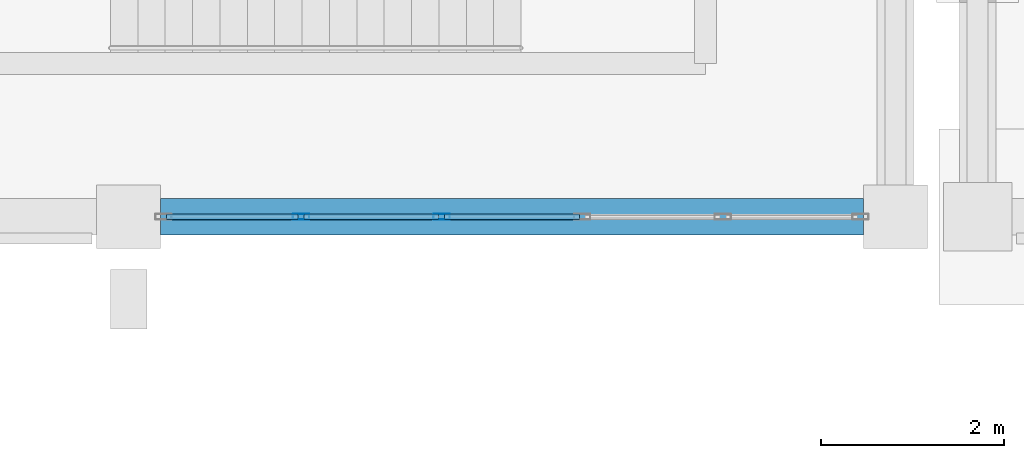
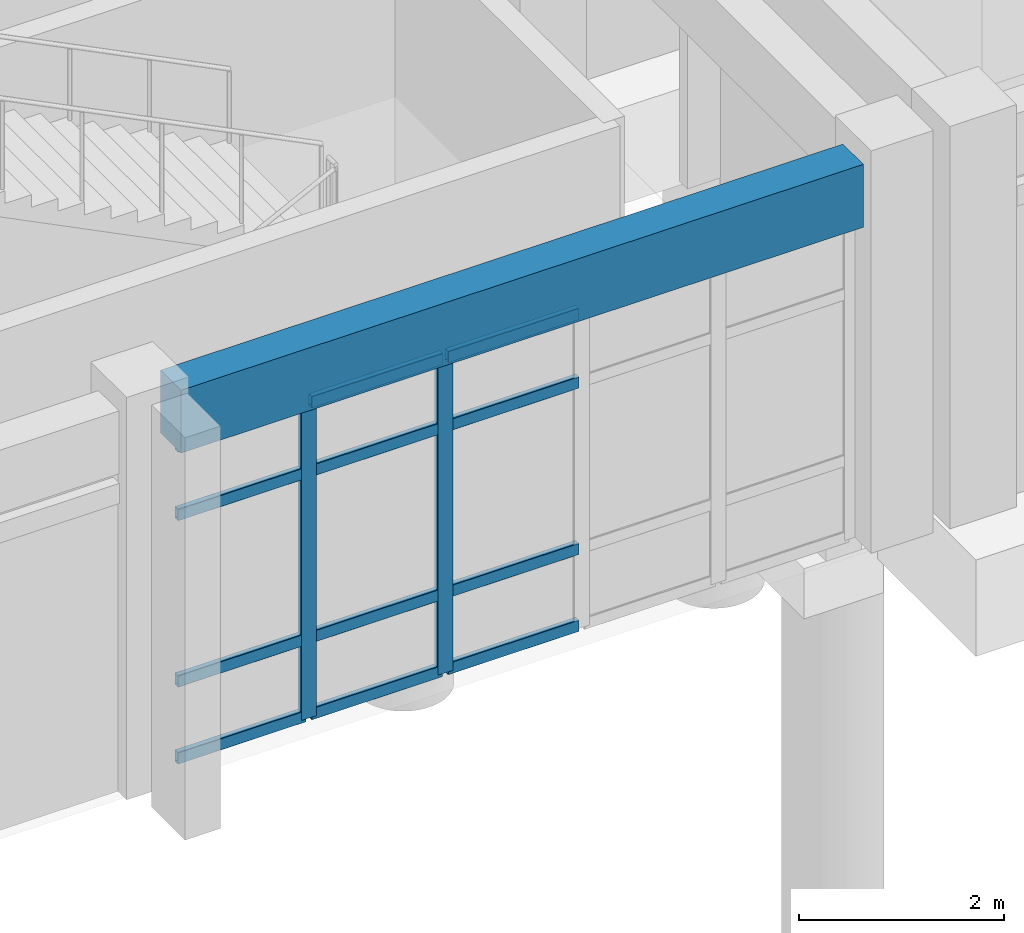
# One storey, part 16 of 111: 14 members, 1 beam, 1 element without a shape of its own.
"""IFC4 building model written with IfcOpenShell, lengths in metres."""

from ifc_helpers import new_model, si_unit, direction, frame, origin, origin_2d, place, context, subcontext, project, spatial, rectangle, hollow_rectangle, extrude, material, material_profile, profile_set, type_object, element, aggregate, save


model = new_model("IFC4")

# Units and contexts
model_context = context("Model", 3, precision=1e-05, world=origin(), true_north=direction((0.0, 1.0)))
body_context = subcontext(model_context, "Body", "Model", "MODEL_VIEW")
ifc_project = project(units=[si_unit("LENGTHUNIT", "METRE"), si_unit("AREAUNIT", "SQUARE_METRE"), si_unit("VOLUMEUNIT", "CUBIC_METRE"), si_unit("PLANEANGLEUNIT", "RADIAN"), si_unit("MASSUNIT", "GRAM", prefix="KILO")], contexts=[model_context])

# Site, building, storey
site_placement = place(None, origin())
site = spatial("IfcSite", under=ifc_project, at=site_placement, CompositionType="ELEMENT")
building_placement = place(site_placement, origin())
building = spatial("IfcBuilding", under=site, at=building_placement, Name="Canglan Escarpment Cableway Terminal", CompositionType="ELEMENT")
storey_placement = place(building_placement, frame((0.0, 0.0, 4.800048828125)))
storey = spatial("IfcBuildingStorey", under=building, at=storey_placement, Name="L01", CompositionType="ELEMENT", Elevation=4.800048828125)

# Curtain wall, members
ifc_material_1 = material(Name="Anodized bronze aluminium and Low-E double glazing", Category="aluminium")
curtain_wall_type = type_object("IfcCurtainWallType", Name="CW-BAY-7700x3775", PredefinedType="NOTDEFINED", material=ifc_material_1)
curtain_wall_placement = place(storey_placement, origin())
curtain_wall = element("IfcCurtainWall", 1, at=curtain_wall_placement, inside=storey, type_object=curtain_wall_type, Name="Classical bay-between-piers glazed curtain wall CW-04", PredefinedType="NOTDEFINED")
ifc_material_2 = material(Name="Thermally broken anodized aluminium 6063-T6", Category="aluminium")
ifc_material_profile_1 = material_profile(ifc_material_2, hollow_rectangle(XDim=0.06494140625, YDim=0.179931640625, WallThickness=0.00390625, InnerFilletRadius=0.00390625, OuterFilletRadius=0.008056640625, at=origin_2d()), Name="ALU-MULL 65x180x4")
ifc_profile_set_1 = profile_set([ifc_material_profile_1], Name="Thermally broken anodized aluminium 6063-T6")
member_type_1 = type_object("IfcMemberType", Name="CWM-03", PredefinedType="MULLION", material=ifc_profile_set_1)
member_1_placement = place(storey_placement, frame((69.590087890625, 8.0, 0.0), z_axis=(0.0, 0.0, 1.0), x_axis=(0.0, 1.0, 0.0)))
member_1 = element("IfcMember", 2, at=member_1_placement, type_object=member_type_1, Name="CW-04 mullion 2", PredefinedType="MULLION", context=body_context, shape_type="SweptSolid", body=[
    extrude(hollow_rectangle(XDim=0.06494140625, YDim=0.179931640625, WallThickness=0.00390625, InnerFilletRadius=0.00390625, OuterFilletRadius=0.008056640625, at=origin_2d()), origin(), (0.0, 0.0, 1.0), 3.784912109375),
])
member_2_placement = place(storey_placement, frame((71.1298828125, 8.0, 0.0), z_axis=(0.0, 0.0, 1.0), x_axis=(0.0, 1.0, 0.0)))
member_2 = element("IfcMember", 3, at=member_2_placement, type_object=member_type_1, Name="CW-04 mullion 3", PredefinedType="MULLION", context=body_context, shape_type="SweptSolid", body=[
    extrude(hollow_rectangle(XDim=0.06494140625, YDim=0.179931640625, WallThickness=0.00390625, InnerFilletRadius=0.00390625, OuterFilletRadius=0.008056640625, at=origin_2d()), origin(), (0.0, 0.0, 1.0), 3.784912109375),
])
ifc_material_profile_2 = material_profile(ifc_material_2, hollow_rectangle(XDim=0.06494140625, YDim=0.139892578125, WallThickness=0.00341796875, InnerFilletRadius=0.00341796875, OuterFilletRadius=0.007080078125, at=origin_2d()), Name="ALU-TRAN 65x140x3.5")
ifc_profile_set_2 = profile_set([ifc_material_profile_2], Name="Thermally broken anodized aluminium 6063-T6")
member_type_2 = type_object("IfcMemberType", Name="CWT-03", PredefinedType="USERDEFINED", material=ifc_profile_set_2)
member_3_placement = place(storey_placement, frame((68.114990234375, 8.0, 0.032470703125), z_axis=(1.0, 0.0, 0.0), x_axis=(0.0, 1.0, 0.0)))
member_3 = element("IfcMember", 4, at=member_3_placement, type_object=member_type_2, Name="CW-04 transom 1.1", ObjectType="TRANSOM", PredefinedType="USERDEFINED", context=body_context, shape_type="SweptSolid", body=[
    extrude(hollow_rectangle(XDim=0.06494140625, YDim=0.139892578125, WallThickness=0.00341796875, InnerFilletRadius=0.00341796875, OuterFilletRadius=0.007080078125, at=origin_2d()), origin(), (0.0, 0.0, 1.0), 1.442626953125),
])
member_4_placement = place(storey_placement, frame((68.114990234375, 8.0, 0.949951171875), z_axis=(1.0, 0.0, 0.0), x_axis=(0.0, 1.0, 0.0)))
member_4 = element("IfcMember", 5, at=member_4_placement, type_object=member_type_2, Name="CW-04 transom 1.2", ObjectType="TRANSOM", PredefinedType="USERDEFINED", context=body_context, shape_type="SweptSolid", body=[
    extrude(hollow_rectangle(XDim=0.06494140625, YDim=0.139892578125, WallThickness=0.00341796875, InnerFilletRadius=0.00341796875, OuterFilletRadius=0.007080078125, at=origin_2d()), origin(), (0.0, 0.0, 1.0), 1.442626953125),
])
member_5_placement = place(storey_placement, frame((68.114990234375, 8.0, 2.93505859375), z_axis=(1.0, 0.0, 0.0), x_axis=(0.0, 1.0, 0.0)))
member_5 = element("IfcMember", 6, at=member_5_placement, type_object=member_type_2, Name="CW-04 transom 1.3", ObjectType="TRANSOM", PredefinedType="USERDEFINED", context=body_context, shape_type="SweptSolid", body=[
    extrude(hollow_rectangle(XDim=0.06494140625, YDim=0.139892578125, WallThickness=0.00341796875, InnerFilletRadius=0.00341796875, OuterFilletRadius=0.007080078125, at=origin_2d()), origin(), (0.0, 0.0, 1.0), 1.442626953125),
])
member_6_placement = place(storey_placement, frame((68.114990234375, 8.0, 3.75244140625), z_axis=(1.0, 0.0, 0.0), x_axis=(0.0, 1.0, 0.0)))
member_6 = element("IfcMember", 7, at=member_6_placement, type_object=member_type_2, Name="CW-04 transom 1.4", ObjectType="TRANSOM", PredefinedType="USERDEFINED", context=body_context, shape_type="SweptSolid", body=[
    extrude(hollow_rectangle(XDim=0.06494140625, YDim=0.139892578125, WallThickness=0.00341796875, InnerFilletRadius=0.00341796875, OuterFilletRadius=0.007080078125, at=origin_2d()), origin(), (0.0, 0.0, 1.0), 1.442626953125),
])
member_7_placement = place(storey_placement, frame((69.62255859375, 8.0, 0.032470703125), z_axis=(1.0, 0.0, 0.0), x_axis=(0.0, 1.0, 0.0)))
member_7 = element("IfcMember", 8, at=member_7_placement, type_object=member_type_2, Name="CW-04 transom 2.1", ObjectType="TRANSOM", PredefinedType="USERDEFINED", context=body_context, shape_type="SweptSolid", body=[
    extrude(hollow_rectangle(XDim=0.06494140625, YDim=0.139892578125, WallThickness=0.00341796875, InnerFilletRadius=0.00341796875, OuterFilletRadius=0.007080078125, at=origin_2d()), origin(), (0.0, 0.0, 1.0), 1.474853515625),
])
member_8_placement = place(storey_placement, frame((69.62255859375, 8.0, 0.949951171875), z_axis=(1.0, 0.0, 0.0), x_axis=(0.0, 1.0, 0.0)))
member_8 = element("IfcMember", 9, at=member_8_placement, type_object=member_type_2, Name="CW-04 transom 2.2", ObjectType="TRANSOM", PredefinedType="USERDEFINED", context=body_context, shape_type="SweptSolid", body=[
    extrude(hollow_rectangle(XDim=0.06494140625, YDim=0.139892578125, WallThickness=0.00341796875, InnerFilletRadius=0.00341796875, OuterFilletRadius=0.007080078125, at=origin_2d()), origin(), (0.0, 0.0, 1.0), 1.474853515625),
])
member_9_placement = place(storey_placement, frame((69.62255859375, 8.0, 2.93505859375), z_axis=(1.0, 0.0, 0.0), x_axis=(0.0, 1.0, 0.0)))
member_9 = element("IfcMember", 10, at=member_9_placement, type_object=member_type_2, Name="CW-04 transom 2.3", ObjectType="TRANSOM", PredefinedType="USERDEFINED", context=body_context, shape_type="SweptSolid", body=[
    extrude(hollow_rectangle(XDim=0.06494140625, YDim=0.139892578125, WallThickness=0.00341796875, InnerFilletRadius=0.00341796875, OuterFilletRadius=0.007080078125, at=origin_2d()), origin(), (0.0, 0.0, 1.0), 1.474853515625),
])
member_10_placement = place(storey_placement, frame((69.62255859375, 8.0, 3.75244140625), z_axis=(1.0, 0.0, 0.0), x_axis=(0.0, 1.0, 0.0)))
member_10 = element("IfcMember", 11, at=member_10_placement, type_object=member_type_2, Name="CW-04 transom 2.4", ObjectType="TRANSOM", PredefinedType="USERDEFINED", context=body_context, shape_type="SweptSolid", body=[
    extrude(hollow_rectangle(XDim=0.06494140625, YDim=0.139892578125, WallThickness=0.00341796875, InnerFilletRadius=0.00341796875, OuterFilletRadius=0.007080078125, at=origin_2d()), origin(), (0.0, 0.0, 1.0), 1.474853515625),
])
member_11_placement = place(storey_placement, frame((71.16259765625, 8.0, 0.032470703125), z_axis=(1.0, 0.0, 0.0), x_axis=(0.0, 1.0, 0.0)))
member_11 = element("IfcMember", 12, at=member_11_placement, type_object=member_type_2, Name="CW-04 transom 3.1", ObjectType="TRANSOM", PredefinedType="USERDEFINED", context=body_context, shape_type="SweptSolid", body=[
    extrude(hollow_rectangle(XDim=0.06494140625, YDim=0.139892578125, WallThickness=0.00341796875, InnerFilletRadius=0.00341796875, OuterFilletRadius=0.007080078125, at=origin_2d()), origin(), (0.0, 0.0, 1.0), 1.474853515625),
])
member_12_placement = place(storey_placement, frame((71.16259765625, 8.0, 0.949951171875), z_axis=(1.0, 0.0, 0.0), x_axis=(0.0, 1.0, 0.0)))
member_12 = element("IfcMember", 13, at=member_12_placement, type_object=member_type_2, Name="CW-04 transom 3.2", ObjectType="TRANSOM", PredefinedType="USERDEFINED", context=body_context, shape_type="SweptSolid", body=[
    extrude(hollow_rectangle(XDim=0.06494140625, YDim=0.139892578125, WallThickness=0.00341796875, InnerFilletRadius=0.00341796875, OuterFilletRadius=0.007080078125, at=origin_2d()), origin(), (0.0, 0.0, 1.0), 1.474853515625),
])
member_13_placement = place(storey_placement, frame((71.16259765625, 8.0, 2.93505859375), z_axis=(1.0, 0.0, 0.0), x_axis=(0.0, 1.0, 0.0)))
member_13 = element("IfcMember", 14, at=member_13_placement, type_object=member_type_2, Name="CW-04 transom 3.3", ObjectType="TRANSOM", PredefinedType="USERDEFINED", context=body_context, shape_type="SweptSolid", body=[
    extrude(hollow_rectangle(XDim=0.06494140625, YDim=0.139892578125, WallThickness=0.00341796875, InnerFilletRadius=0.00341796875, OuterFilletRadius=0.007080078125, at=origin_2d()), origin(), (0.0, 0.0, 1.0), 1.474853515625),
])
member_14_placement = place(storey_placement, frame((71.16259765625, 8.0, 3.75244140625), z_axis=(1.0, 0.0, 0.0), x_axis=(0.0, 1.0, 0.0)))
member_14 = element("IfcMember", 15, at=member_14_placement, type_object=member_type_2, Name="CW-04 transom 3.4", ObjectType="TRANSOM", PredefinedType="USERDEFINED", context=body_context, shape_type="SweptSolid", body=[
    extrude(hollow_rectangle(XDim=0.06494140625, YDim=0.139892578125, WallThickness=0.00341796875, InnerFilletRadius=0.00341796875, OuterFilletRadius=0.007080078125, at=origin_2d()), origin(), (0.0, 0.0, 1.0), 1.474853515625),
])
aggregate(curtain_wall, [member_1, member_2, member_3, member_4, member_5, member_6, member_7, member_8, member_9, member_10, member_11, member_12, member_13, member_14])

# Beam
ifc_material_3 = material(Name="Concrete C40", Category="concrete")
ifc_material_profile_3 = material_profile(ifc_material_3, rectangle(XDim=0.39990234375, YDim=0.75, at=origin_2d()), Name="RC 400x750")
ifc_profile_set_3 = profile_set([ifc_material_profile_3], Name="Concrete C40")
beam_type = type_object("IfcBeamType", Name="SP-RC400x750", PredefinedType="SPANDREL", material=ifc_profile_set_3)
beam_placement = place(storey_placement, frame((68.050048828125, 8.0, 4.175048828125), z_axis=(1.0, 0.0, 0.0), x_axis=(0.0, 1.0, 0.0)))
element("IfcBeam", 16, at=beam_placement, inside=storey, type_object=beam_type, Name="Primary structural girder SP-01", PredefinedType="SPANDREL", context=body_context, shape_type="SweptSolid", body=[
    extrude(rectangle(XDim=0.39990234375, YDim=0.75, at=origin_2d()), origin(), (0.0, 0.0, 1.0), 7.699951171875),
])

save(model, "model.ifc")
